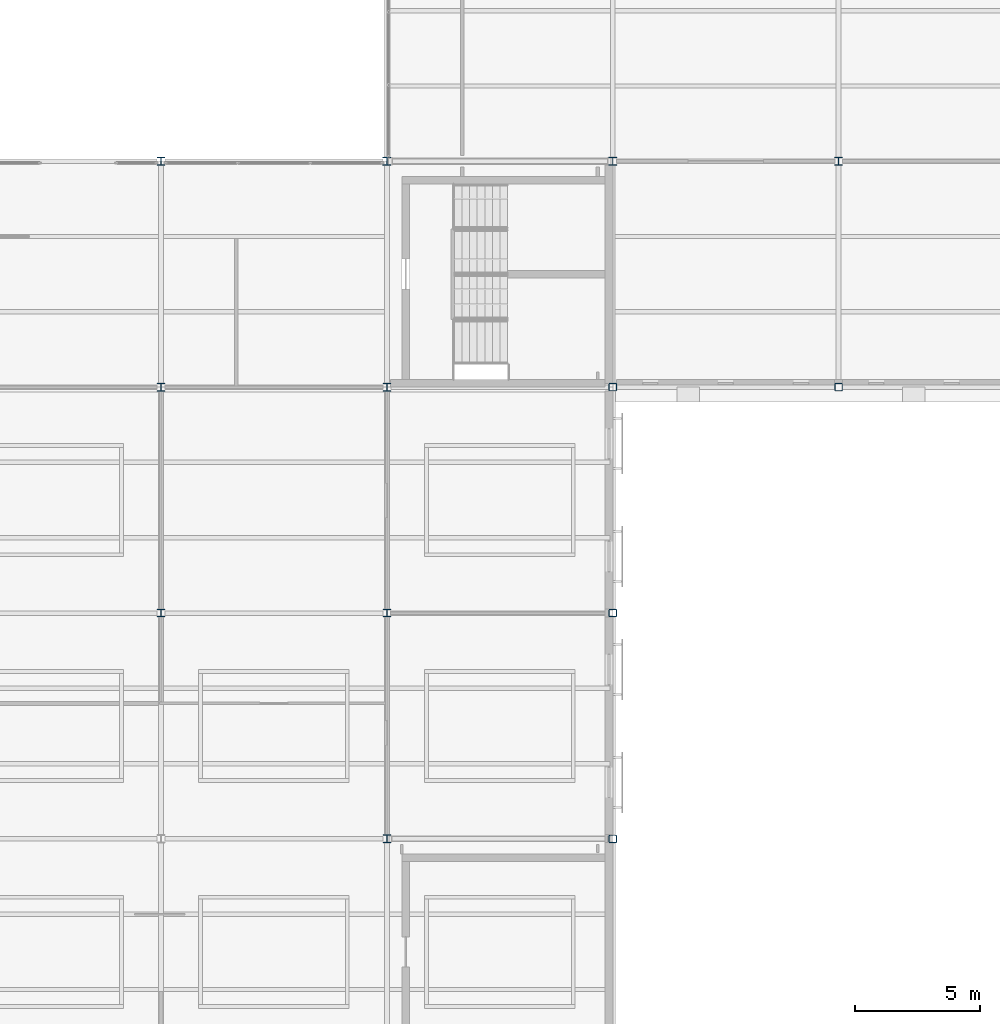
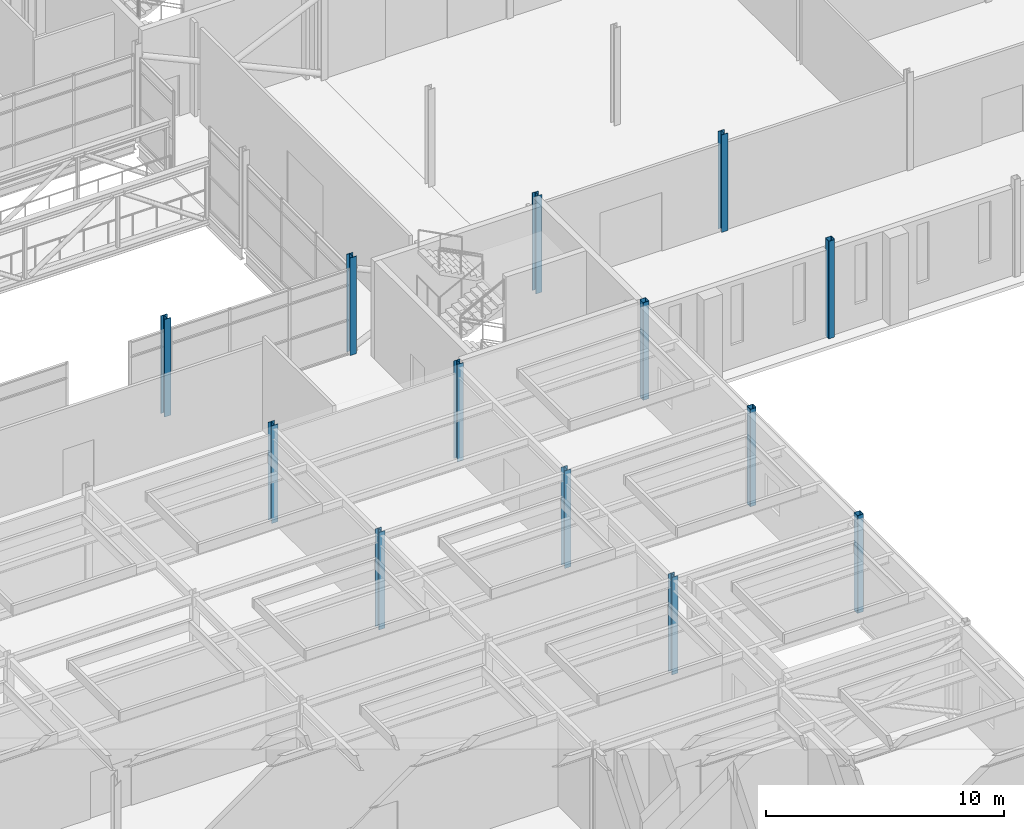
# One storey, part 7 of 115: 13 columns.
"""IFC4 building model written with IfcOpenShell, lengths in metres."""

from ifc_helpers import new_model, si_unit, direction, frame, origin, origin_2d, place, context, subcontext, project, spatial, hollow_rectangle, i_section, extrude, material, material_profile, profile_set, type_object, element, save


model = new_model("IFC4")

# Units and contexts
model_context = context("Model", 3, precision=1e-05, world=origin(), true_north=direction((0.0, 1.0)))
body_context = subcontext(model_context, "Body", "Model", "MODEL_VIEW")
ifc_project = project(units=[si_unit("LENGTHUNIT", "METRE"), si_unit("AREAUNIT", "SQUARE_METRE"), si_unit("VOLUMEUNIT", "CUBIC_METRE"), si_unit("PLANEANGLEUNIT", "RADIAN"), si_unit("MASSUNIT", "GRAM", prefix="KILO")], contexts=[model_context])

# Site, building, storey
site_placement = place(None, origin())
site = spatial("IfcSite", under=ifc_project, at=site_placement, CompositionType="ELEMENT")
building_placement = place(site_placement, origin())
building = spatial("IfcBuilding", under=site, at=building_placement, Name="Shorebreak Coast Museum", CompositionType="ELEMENT")
storey_placement = place(building_placement, frame((0.0, 0.0, 11.0)))
storey = spatial("IfcBuildingStorey", under=building, at=storey_placement, Name="L02", CompositionType="ELEMENT", Elevation=11.0)

# Columns
ifc_material_1 = material(Name="Steel Grade C450L0", Category="steel")
ifc_material_profile_1 = material_profile(ifc_material_1, hollow_rectangle(XDim=0.300048828125, YDim=0.300048828125, WallThickness=0.012451171875, InnerFilletRadius=0.018798828125, OuterFilletRadius=0.03125, at=origin_2d()), Name="300x300x12.5 SHS")
ifc_profile_set_1 = profile_set([ifc_material_profile_1], Name="Steel Grade C450L0")
column_type_1 = type_object("IfcColumnType", Name="Column 300x300x12.5 SHS", PredefinedType="COLUMN", material=ifc_profile_set_1)
for number, where, z_axis, x_axis, name in (
    (1, (117.0, 36.0, 0.0), (0.0, 0.0, 1.0), (1.0, 0.0, 0.0), "Column L02 14E"),
    (2, (117.0, 45.0, 0.0), (0.0, 0.0, 1.0), (1.0, 0.0, 0.0), "Column L02 14F"),
    (3, (117.0, 54.0, 0.0), (0.0, 0.0, 1.0), (1.0, 0.0, 0.0), "Column L02 14G"),
    (4, (126.0, 54.0, 0.0), (0.0, 0.0, 1.0), (1.0, 0.0, 0.0), "Column L02 15G"),
):
    element("IfcColumn", number, at=place(storey_placement, frame(where, z_axis=z_axis, x_axis=x_axis)), inside=storey, type_object=column_type_1, Name=name, PredefinedType="COLUMN", context=body_context, shape_type="SweptSolid", body=[
        extrude(hollow_rectangle(XDim=0.300048828125, YDim=0.300048828125, WallThickness=0.012451171875, InnerFilletRadius=0.018798828125, OuterFilletRadius=0.03125, at=origin_2d()), origin(), (0.0, 0.0, 1.0), 5.0),
    ])
ifc_material_2 = material(Name="Steel Grade 300", Category="steel")
ifc_material_profile_2 = material_profile(ifc_material_2, i_section(OverallWidth=0.306884765625, OverallDepth=0.314697265625, WebThickness=0.011962890625, FlangeThickness=0.018798828125, FilletRadius=0.0166015625, at=origin_2d()), Name="310UC118")
ifc_profile_set_2 = profile_set([ifc_material_profile_2], Name="Steel Grade 300")
column_type_2 = type_object("IfcColumnType", Name="Column 310UC118", PredefinedType="COLUMN", material=ifc_profile_set_2)
for number, where, z_axis, x_axis, name in (
    (5, (108.0, 36.0, 0.0), (0.0, 0.0, 1.0), (1.0, 0.0, 0.0), "Column L02 13E"),
    (6, (99.0, 45.0, 0.0), (0.0, 0.0, 1.0), (1.0, 0.0, 0.0), "Column L02 12F"),
    (7, (108.0, 45.0, 0.0), (0.0, 0.0, 1.0), (1.0, 0.0, 0.0), "Column L02 13F"),
    (8, (99.0, 54.0, 0.0), (0.0, 0.0, 1.0), (1.0, 0.0, 0.0), "Column L02 12G"),
    (9, (108.0, 54.0, 0.0), (0.0, 0.0, 1.0), (1.0, 0.0, 0.0), "Column L02 13G"),
    (10, (117.0, 63.0, 0.0), (0.0, 0.0, 1.0), (1.0, 0.0, 0.0), "Column L02 14H"),
    (11, (126.0, 63.0, 0.0), (0.0, 0.0, 1.0), (1.0, 0.0, 0.0), "Column L02 15H"),
):
    element("IfcColumn", number, at=place(storey_placement, frame(where, z_axis=z_axis, x_axis=x_axis)), inside=storey, type_object=column_type_2, Name=name, PredefinedType="COLUMN", context=body_context, shape_type="SweptSolid", body=[
        extrude(i_section(OverallWidth=0.306884765625, OverallDepth=0.314697265625, WebThickness=0.011962890625, FlangeThickness=0.018798828125, FilletRadius=0.0166015625, at=origin_2d()), origin(), (0.0, 0.0, 1.0), 5.0),
    ])
ifc_material_3 = material(Name="Steel Grade 300", Category="steel")
ifc_material_profile_3 = material_profile(ifc_material_3, i_section(OverallWidth=0.31103515625, OverallDepth=0.3271484375, WebThickness=0.015625, FlangeThickness=0.02490234375, FilletRadius=0.0166015625, at=origin_2d()), Name="310UC158")
ifc_profile_set_3 = profile_set([ifc_material_profile_3], Name="Steel Grade 300")
column_type_3 = type_object("IfcColumnType", Name="Column 310UC158", PredefinedType="COLUMN", material=ifc_profile_set_3)
for number, where, z_axis, x_axis, name in (
    (12, (99.0, 63.0, 0.0), (0.0, 0.0, 1.0), (1.0, 0.0, 0.0), "Column L02 12H"),
    (13, (108.0, 63.0, 0.0), (0.0, 0.0, 1.0), (1.0, 0.0, 0.0), "Column L02 13H"),
):
    element("IfcColumn", number, at=place(storey_placement, frame(where, z_axis=z_axis, x_axis=x_axis)), inside=storey, type_object=column_type_3, Name=name, PredefinedType="COLUMN", context=body_context, shape_type="SweptSolid", body=[
        extrude(i_section(OverallWidth=0.31103515625, OverallDepth=0.3271484375, WebThickness=0.015625, FlangeThickness=0.02490234375, FilletRadius=0.0166015625, at=origin_2d()), origin(), (0.0, 0.0, 1.0), 5.0),
    ])

save(model, "model.ifc")
